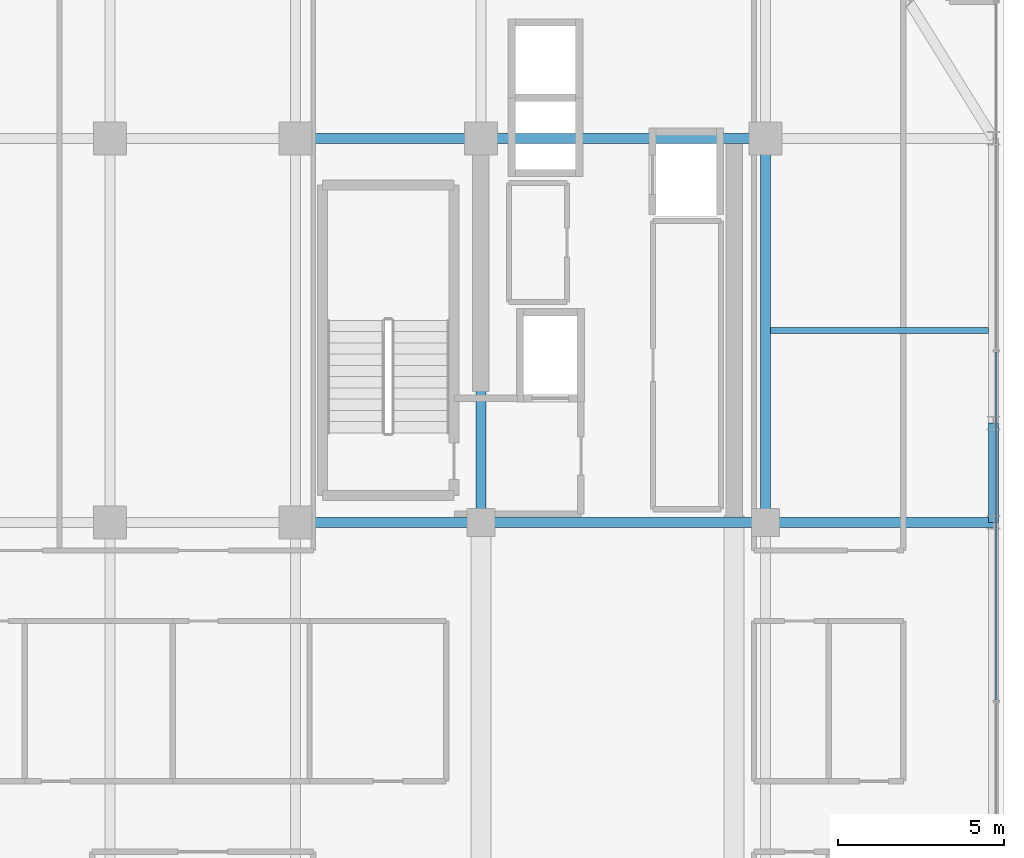
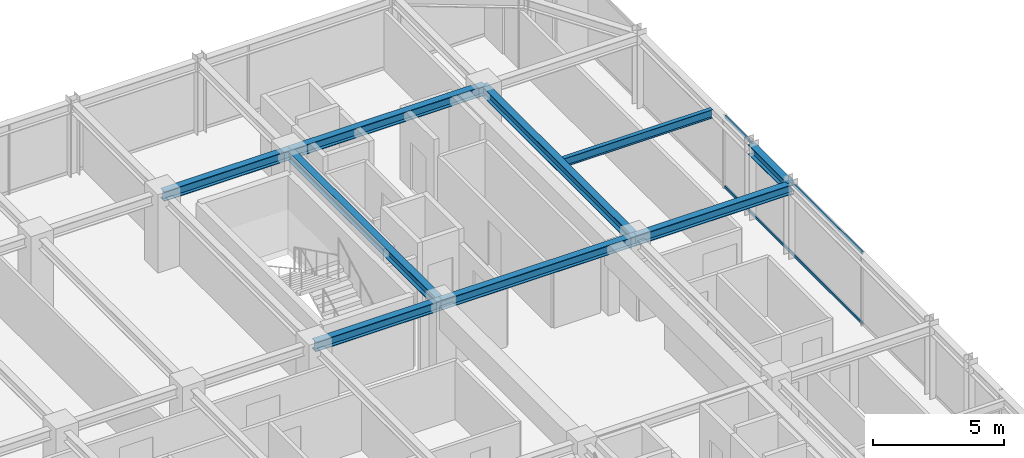
# One storey, part 23 of 35: 9 beams, 2 members, 1 element without a shape of its own.
"""IFC4 building model written with IfcOpenShell, lengths in metres."""

import ifcopenshell
import ifcopenshell.guid

model = None  # the IFC model being written
_history = None  # IfcOwnerHistory: only IFC2X3 demands one
_inside = {}  # id of a spatial element -> (the spatial element, [elements in it])
_under = {}  # id of a project, library or spatial element -> (it, [spatial elements below it])
_declared = {}  # id of a project -> (the project, [libraries it declares])
_typed = {}  # id of a type object -> (the type object, [elements of that type])
_made_of = {}  # id of a material, layer set ... -> (it, [elements and type objects made of it])


def new_model(schema):
    """Start an empty IFC model of exactly this schema.

    Asked for "IFC4X3", IfcOpenShell would pick the latest addendum, in which some entities
    have other attributes; the version numbers below select the first issue.
    IFC2X3 requires an IfcOwnerHistory on every rooted entity: one is made here for all.
    """
    global model, _history
    if schema == "IFC4X3":
        model = ifcopenshell.file(schema_version=(4, 3, 0, 0))
    else:
        model = ifcopenshell.file(schema=schema)
    _inside.clear()
    _under.clear()
    _declared.clear()
    _typed.clear()
    _made_of.clear()
    _history = None
    if model.schema == "IFC2X3":
        org = make("IfcOrganization", Name="unknown")
        user = make(
            "IfcPersonAndOrganization",
            ThePerson=make("IfcPerson", FamilyName="unknown"),
            TheOrganization=org,
        )
        app = make(
            "IfcApplication",
            ApplicationDeveloper=org,
            Version="unknown",
            ApplicationFullName="unknown",
            ApplicationIdentifier="unknown",
        )
        _history = make(
            "IfcOwnerHistory",
            OwningUser=user,
            OwningApplication=app,
            ChangeAction="ADDED",
            CreationDate=0,
        )
    return model


def make(cls, **values):
    """One entity of the class cls with the attributes given. An attribute that is None is left unset."""
    return model.create_entity(
        cls, **{name: value for name, value in values.items() if value is not None}
    )


def rooted(cls, **values):
    """An entity with a GlobalId (a new one), such as an element, a storey or a relation."""
    return make(cls, GlobalId=ifcopenshell.guid.new(), OwnerHistory=_history, **values)


def si_unit(unit_type, name, prefix=None):
    """IfcSIUnit, for example si_unit("LENGTHUNIT", "METRE", prefix="MILLI")."""
    return make("IfcSIUnit", UnitType=unit_type, Prefix=prefix, Name=name)


def assignment(units):
    """IfcUnitAssignment: the units of a project."""
    return None if units is None else make("IfcUnitAssignment", Units=units)


def point(xyz):
    """IfcCartesianPoint."""
    return None if xyz is None else make("IfcCartesianPoint", Coordinates=xyz)


def direction(xyz):
    """IfcDirection."""
    return None if xyz is None else make("IfcDirection", DirectionRatios=xyz)


def frame(location, z_axis=None, x_axis=None):
    """IfcAxis2Placement3D, a coordinate frame: its origin and axes. An axis left out is left unset."""
    return make(
        "IfcAxis2Placement3D",
        Location=point(location),
        Axis=direction(z_axis),
        RefDirection=direction(x_axis),
    )


def frame_2d(location, x_axis=None):
    """IfcAxis2Placement2D, a coordinate frame in the plane: its origin and x axis."""
    return make(
        "IfcAxis2Placement2D", Location=point(location), RefDirection=direction(x_axis)
    )


def origin():
    """The frame at (0, 0, 0) with its axes left unset."""
    return frame((0.0, 0.0, 0.0))


def origin_2d():
    """The frame at (0, 0) in the plane with its x axis left unset."""
    return frame_2d((0.0, 0.0))


def place(relative_to, where):
    """IfcLocalPlacement: puts the frame where relative to a parent placement (None: the world)."""
    return make(
        "IfcLocalPlacement", PlacementRelTo=relative_to, RelativePlacement=where
    )


def context(
    kind, dimensions, precision=None, world=None, true_north=None, identifier=None
):
    """IfcGeometricRepresentationContext, for example the 3D "Model" context."""
    return make(
        "IfcGeometricRepresentationContext",
        ContextIdentifier=identifier,
        ContextType=kind,
        CoordinateSpaceDimension=dimensions,
        Precision=precision,
        WorldCoordinateSystem=world,
        TrueNorth=true_north,
    )


def subcontext(parent, identifier, kind, view, scale=None):
    """IfcGeometricRepresentationSubContext, for example "Body" below "Model"."""
    return make(
        "IfcGeometricRepresentationSubContext",
        ContextIdentifier=identifier,
        ContextType=kind,
        ParentContext=parent,
        TargetScale=scale,
        TargetView=view,
    )


def project(units=None, contexts=None):
    """IfcProject with its units and contexts."""
    return rooted(
        "IfcProject",
        Name="project",
        RepresentationContexts=contexts,
        UnitsInContext=assignment(units),
    )


def spatial(cls, under=None, at=None, **own):
    """A site, building, storey or space (cls), placed at a placement, below another one or the project."""
    s = rooted(cls, ObjectPlacement=at, **own)
    if under is not None:
        _under.setdefault(under.id(), (under, []))[1].append(s)
    return s


def profile(cls, at=None, kind="AREA", **sizes):
    """A parametric profile (cls). Its sizes go by their IFC names, for example OverallWidth=200.0."""
    return make(cls, ProfileType=kind, Position=at, **sizes)


def hollow_rectangle(**sizes):
    """IfcRectangleHollowProfileDef."""
    return profile("IfcRectangleHollowProfileDef", **sizes)


def i_section(**sizes):
    """IfcIShapeProfileDef."""
    return profile("IfcIShapeProfileDef", **sizes)


def extrude(swept, where, along, depth):
    """IfcExtrudedAreaSolid: the profile swept, set in the frame where, extruded along a direction by depth."""
    return make(
        "IfcExtrudedAreaSolid",
        SweptArea=swept,
        Position=where,
        ExtrudedDirection=direction(along),
        Depth=depth,
    )


def shape(context_of_items, identifier, shape_type, items):
    """IfcShapeRepresentation: the items that make up one representation, for example the "Body"."""
    return make(
        "IfcShapeRepresentation",
        ContextOfItems=context_of_items,
        RepresentationIdentifier=identifier,
        RepresentationType=shape_type,
        Items=items,
    )


def source(mapping_origin, context_of_items, identifier, shape_type, items):
    """IfcRepresentationMap: a shape defined once, which mapped items show again and again."""
    return make(
        "IfcRepresentationMap",
        MappingOrigin=mapping_origin,
        MappedRepresentation=shape(context_of_items, identifier, shape_type, items),
    )


def transform(
    local_origin,
    x_axis=None,
    y_axis=None,
    z_axis=None,
    scale=None,
    scale2=None,
    scale3=None,
    uniform=True,
):
    """IfcCartesianTransformationOperator3D, or its non-uniform kind. x_axis, y_axis, z_axis: its Axis1, 2, 3."""
    if uniform:
        return make(
            "IfcCartesianTransformationOperator3D",
            Axis1=direction(x_axis),
            Axis2=direction(y_axis),
            LocalOrigin=point(local_origin),
            Scale=scale,
            Axis3=direction(z_axis),
        )
    return make(
        "IfcCartesianTransformationOperator3DnonUniform",
        Axis1=direction(x_axis),
        Axis2=direction(y_axis),
        LocalOrigin=point(local_origin),
        Scale=scale,
        Axis3=direction(z_axis),
        Scale2=scale2,
        Scale3=scale3,
    )


def mapped(mapping_source, mapping_target):
    """IfcMappedItem: shows the shape of a source again, moved by a transform."""
    return make(
        "IfcMappedItem", MappingSource=mapping_source, MappingTarget=mapping_target
    )


def material(Name=None, Category=None):
    """IfcMaterial."""
    return make("IfcMaterial", Name=Name, Category=Category)


def material_profile(
    of_material, cross_section, Name=None, Category=None, Priority=None
):
    """IfcMaterialProfile: a cross section and its material."""
    return make(
        "IfcMaterialProfile",
        Name=Name,
        Material=of_material,
        Profile=cross_section,
        Priority=Priority,
        Category=Category,
    )


def profile_set(profiles, Name=None, composite=None):
    """IfcMaterialProfileSet."""
    return make(
        "IfcMaterialProfileSet",
        Name=Name,
        MaterialProfiles=profiles,
        CompositeProfile=composite,
    )


def made_of(thing, what):
    """Note that an element or type object is made of a material, layer set ...; save() writes the relation."""
    if what is not None:
        _made_of.setdefault(what.id(), (what, []))[1].append(thing)
    return thing


def type_object(cls, material=None, **own):
    """A type object (cls), such as IfcWallType, which elements share."""
    return made_of(rooted(cls, **own), material)


def element(
    cls,
    number,
    at=None,
    inside=None,
    cuts=None,
    type_object=None,
    material=None,
    context=None,
    identifier="Body",
    shape_type=None,
    held_by="IfcProductDefinitionShape",
    body=None,
    shapes=None,
    **own,
):
    """One element of the class cls, such as IfcWall. Its Tag is "e" and its number.

    at: its placement. inside: the storey or other place that contains it. cuts: it is an
    opening in that element (IfcRelVoidsElement). A single representation is given by context,
    identifier, shape_type and body (its items); several are given by shapes. held_by: the class
    of the entity that holds the representations. save() writes the other relations.
    """
    e = rooted(cls, Tag="e%d" % number, ObjectPlacement=at, **own)
    if body is not None:
        shapes = [shape(context, identifier, shape_type, body)]
    if shapes is not None:
        e.Representation = make(held_by, Representations=shapes)
    if inside is not None:
        _inside.setdefault(inside.id(), (inside, []))[1].append(e)
    if cuts is not None:
        rooted(
            "IfcRelVoidsElement", RelatingBuildingElement=cuts, RelatedOpeningElement=e
        )
    if type_object is not None:
        _typed.setdefault(type_object.id(), (type_object, []))[1].append(e)
    return made_of(e, material)


def aggregate(whole, parts):
    """IfcRelAggregates: a whole, such as a stair, and the parts it consists of."""
    return rooted("IfcRelAggregates", RelatingObject=whole, RelatedObjects=parts)


def save(model, path):
    """Write the relations noted so far, then the file.

    IfcRelAggregates (storeys below a building ...), IfcRelContainedInSpatialStructure (elements
    in a storey), IfcRelDefinesByType, IfcRelAssociatesMaterial and IfcRelDeclares: one each for
    every whole, place, type object, material and project.
    """
    for whole, parts in _under.values():
        aggregate(whole, parts)
    for where, things in _inside.values():
        rooted(
            "IfcRelContainedInSpatialStructure",
            RelatedElements=things,
            RelatingStructure=where,
        )
    for kind, things in _typed.values():
        rooted("IfcRelDefinesByType", RelatedObjects=things, RelatingType=kind)
    for what, things in _made_of.values():
        rooted("IfcRelAssociatesMaterial", RelatedObjects=things, RelatingMaterial=what)
    for by, libraries in _declared.values():
        rooted("IfcRelDeclares", RelatingContext=by, RelatedDefinitions=libraries)
    model.write(path)


model = new_model("IFC4")

# Units and contexts
model_context = context("Model", 3, precision=1e-05, world=origin(), true_north=direction((0.0, 1.0)))
body_context = subcontext(model_context, "Body", "Model", "MODEL_VIEW")
ifc_project = project(units=[si_unit("LENGTHUNIT", "METRE"), si_unit("AREAUNIT", "SQUARE_METRE"), si_unit("VOLUMEUNIT", "CUBIC_METRE"), si_unit("PLANEANGLEUNIT", "RADIAN"), si_unit("MASSUNIT", "GRAM", prefix="KILO")], contexts=[model_context])

# Site, building, storey
site_placement = place(None, origin())
site = spatial("IfcSite", under=ifc_project, at=site_placement, CompositionType="ELEMENT")
building_placement = place(site_placement, origin())
building = spatial("IfcBuilding", under=site, at=building_placement, Name="Nahalor Promenade Grand Hotel", CompositionType="ELEMENT")
storey_placement = place(building_placement, frame((0.0, 0.0, 216.0)))
storey = spatial("IfcBuildingStorey", under=building, at=storey_placement, Name="L55", CompositionType="ELEMENT", Elevation=216.0)

# Beams
ifc_material_1 = material(Name="Steel S355JR", Category="steel")
ifc_material_profile_1 = material_profile(ifc_material_1, i_section(OverallWidth=0.3, OverallDepth=0.45, WebThickness=0.014, FlangeThickness=0.026, at=origin_2d()), Name="HEB 450")
ifc_profile_set_1 = profile_set([ifc_material_profile_1], Name="Steel S355JR")
beam_type_1 = type_object("IfcBeamType", Name="Beam-Spandrel-HEB450", PredefinedType="SPANDREL", material=ifc_profile_set_1)
shared_shape_1 = source(origin(), body_context, "Body", "SweptSolid", [
    extrude(i_section(OverallWidth=0.3, OverallDepth=0.45, WebThickness=0.014, FlangeThickness=0.026, at=origin_2d()), origin(), (0.0, 0.0, 1.0), 3.0),
])
beam_1_placement = place(storey_placement, frame((23.8798828125, 5.39990234375, 3.18505859375), z_axis=(0.0, 1.0, 0.0), x_axis=(-1.0, 0.0, 0.0)))
element("IfcBeam", 1, at=beam_1_placement, inside=storey, type_object=beam_type_1, Name="BM-L55-SP-E-3", PredefinedType="SPANDREL", context=body_context, shape_type="MappedRepresentation", body=[
    mapped(shared_shape_1, transform((0.0, 0.0, 0.0), scale=1.0)),
])
ifc_material_profile_2 = material_profile(ifc_material_1, i_section(OverallWidth=0.3, OverallDepth=0.45, WebThickness=0.014, FlangeThickness=0.026, at=origin_2d()), Name="HEB 450")
ifc_profile_set_2 = profile_set([ifc_material_profile_2], Name="Steel S355JR")
beam_type_2 = type_object("IfcBeamType", Name="Beam-Girder-HEB450", PredefinedType="BEAM", material=ifc_profile_set_2)
shared_shape_2 = source(origin(), body_context, "Body", "SweptSolid", [
    extrude(i_section(OverallWidth=0.3, OverallDepth=0.45, WebThickness=0.014, FlangeThickness=0.026, at=origin_2d()), origin(), (0.0, 0.0, 1.0), 6.8798828125),
])
beam_2_placement = place(storey_placement, frame((17.0, 5.39990234375, 3.18505859375), z_axis=(1.0, 0.0, 0.0), x_axis=(0.0, 1.0, 0.0)))
element("IfcBeam", 2, at=beam_2_placement, inside=storey, type_object=beam_type_2, Name="BM-L55-GX-2-6", PredefinedType="BEAM", context=body_context, shape_type="MappedRepresentation", body=[
    mapped(shared_shape_2, transform((0.0, 0.0, 0.0), scale=1.0)),
])
shared_shape_3 = source(origin(), body_context, "Body", "SweptSolid", [
    extrude(i_section(OverallWidth=0.3, OverallDepth=0.45, WebThickness=0.014, FlangeThickness=0.026, at=origin_2d()), origin(), (0.0, 0.0, 1.0), 8.60009765625),
])
for number, where, z_axis, x_axis, name in (
    (3, (8.39990234375, 5.39990234375, 3.18505859375), (1.0, 0.0, 0.0), (0.0, 1.0, 0.0), "BM-L55-GX-2-5"),
    (4, (8.39990234375, 17.0, 3.18505859375), (1.0, 0.0, 0.0), (0.0, 1.0, 0.0), "BM-L55-GX-3-5"),
):
    element("IfcBeam", number, at=place(storey_placement, frame(where, z_axis=z_axis, x_axis=x_axis)), inside=storey, type_object=beam_type_2, Name=name, PredefinedType="BEAM", context=body_context, shape_type="MappedRepresentation", body=[
        mapped(shared_shape_3, transform((0.0, 0.0, 0.0), scale=1.0)),
    ])
shared_shape_4 = source(origin(), body_context, "Body", "SweptSolid", [
    extrude(i_section(OverallWidth=0.3, OverallDepth=0.45, WebThickness=0.014, FlangeThickness=0.026, at=origin_2d()), origin(), (0.0, 0.0, 1.0), 5.599853515625),
])
for number, where, z_axis, x_axis, name in (
    (5, (2.800048828125, 5.39990234375, 3.18505859375), (1.0, 0.0, 0.0), (0.0, 1.0, 0.0), "BM-L55-GX-2-4"),
    (6, (2.800048828125, 17.0, 3.18505859375), (1.0, 0.0, 0.0), (0.0, 1.0, 0.0), "BM-L55-GX-3-4"),
):
    element("IfcBeam", number, at=place(storey_placement, frame(where, z_axis=z_axis, x_axis=x_axis)), inside=storey, type_object=beam_type_2, Name=name, PredefinedType="BEAM", context=body_context, shape_type="MappedRepresentation", body=[
        mapped(shared_shape_4, transform((0.0, 0.0, 0.0), scale=1.0)),
    ])
shared_shape_5 = source(origin(), body_context, "Body", "SweptSolid", [
    extrude(i_section(OverallWidth=0.3, OverallDepth=0.45, WebThickness=0.014, FlangeThickness=0.026, at=origin_2d()), origin(), (0.0, 0.0, 1.0), 11.60009765625),
])
for number, where, z_axis, x_axis, name in (
    (7, (8.39990234375, 5.39990234375, 3.18505859375), (0.0, 1.0, 0.0), (-1.0, 0.0, 0.0), "BM-L55-GY-4-3"),
    (8, (17.0, 5.39990234375, 3.18505859375), (0.0, 1.0, 0.0), (-1.0, 0.0, 0.0), "BM-L55-GY-5-3"),
):
    element("IfcBeam", number, at=place(storey_placement, frame(where, z_axis=z_axis, x_axis=x_axis)), inside=storey, type_object=beam_type_2, Name=name, PredefinedType="BEAM", context=body_context, shape_type="MappedRepresentation", body=[
        mapped(shared_shape_5, transform((0.0, 0.0, 0.0), scale=1.0)),
    ])
ifc_material_profile_3 = material_profile(ifc_material_1, i_section(OverallWidth=0.18, OverallDepth=0.4, WebThickness=0.0086, FlangeThickness=0.0135, at=origin_2d()), Name="IPE 400")
ifc_profile_set_3 = profile_set([ifc_material_profile_3], Name="Steel S355JR")
beam_type_3 = type_object("IfcBeamType", Name="Beam-Joist-IPE400", PredefinedType="JOIST", material=ifc_profile_set_3)
shared_shape_6 = source(origin(), body_context, "Body", "SweptSolid", [
    extrude(i_section(OverallWidth=0.18, OverallDepth=0.4, WebThickness=0.0086, FlangeThickness=0.0135, at=origin_2d()), origin(), (0.0, 0.0, 1.0), 6.580078125),
])
beam_3_placement = place(storey_placement, frame((17.14990234375, 11.199951171875, 3.2099609375), z_axis=(1.0, 0.0, 0.0), x_axis=(0.0, 1.0, 0.0)))
element("IfcBeam", 9, at=beam_3_placement, inside=storey, type_object=beam_type_3, Name="BM-L55-JSE-1-2", PredefinedType="JOIST", context=body_context, shape_type="MappedRepresentation", body=[
    mapped(shared_shape_6, transform((0.0, 0.0, 0.0), scale=1.0)),
])

# Curtain wall, members
ifc_material_2 = material(Name="Anodised Bronze Aluminium EN AW-6063 T6", Category="aluminium")
curtain_wall_type = type_object("IfcCurtainWallType", Name="CW2 Typical Hotel Flush Bronze Unitised Curtain Wall", PredefinedType="USERDEFINED", material=ifc_material_2)
curtain_wall_placement = place(storey_placement, origin())
curtain_wall = element("IfcCurtainWall", 10, at=curtain_wall_placement, inside=storey, type_object=curtain_wall_type, Name="L55 Curtain Wall CW-L55-E-1", ObjectType="UNITISED_CURTAIN_WALL", PredefinedType="USERDEFINED")
ifc_material_profile_4 = material_profile(ifc_material_2, hollow_rectangle(XDim=0.065, YDim=0.13, WallThickness=0.004, at=origin_2d()), Name="CWT 65x130x4")
ifc_profile_set_4 = profile_set([ifc_material_profile_4], Name="Anodised Bronze Aluminium EN AW-6063 T6")
member_type = type_object("IfcMemberType", Name="CWT2 Typical Bronze Transom 65x130", PredefinedType="USERDEFINED", material=ifc_profile_set_4)
shared_shape_7 = source(origin(), body_context, "Body", "SweptSolid", [
    extrude(hollow_rectangle(XDim=0.065, YDim=0.13, WallThickness=0.004, at=origin_2d()), origin(), (0.0, 0.0, 1.0), 10.51513671875),
])
member_1_placement = place(storey_placement, frame((23.9599609375, 0.032470703125, 0.06494140625), z_axis=(0.0, 1.0, 0.0), x_axis=(-1.0, 0.0, 0.0)))
member_1 = element("IfcMember", 11, at=member_1_placement, type_object=member_type, Name="CW-L55-E-1 Transom 2-0", ObjectType="TRANSOM", PredefinedType="USERDEFINED", context=body_context, shape_type="MappedRepresentation", body=[
    mapped(shared_shape_7, transform((0.0, 0.0, 0.0), scale=1.0)),
])
member_2_placement = place(storey_placement, frame((23.9599609375, 0.032470703125, 3.344970703125), z_axis=(0.0, 1.0, 0.0), x_axis=(-1.0, 0.0, 0.0)))
member_2 = element("IfcMember", 12, at=member_2_placement, type_object=member_type, Name="CW-L55-E-1 Transom 2-1", ObjectType="TRANSOM", PredefinedType="USERDEFINED", context=body_context, shape_type="MappedRepresentation", body=[
    mapped(shared_shape_7, transform((0.0, 0.0, 0.0), scale=1.0)),
])
aggregate(curtain_wall, [member_1, member_2])

save(model, "model.ifc")
